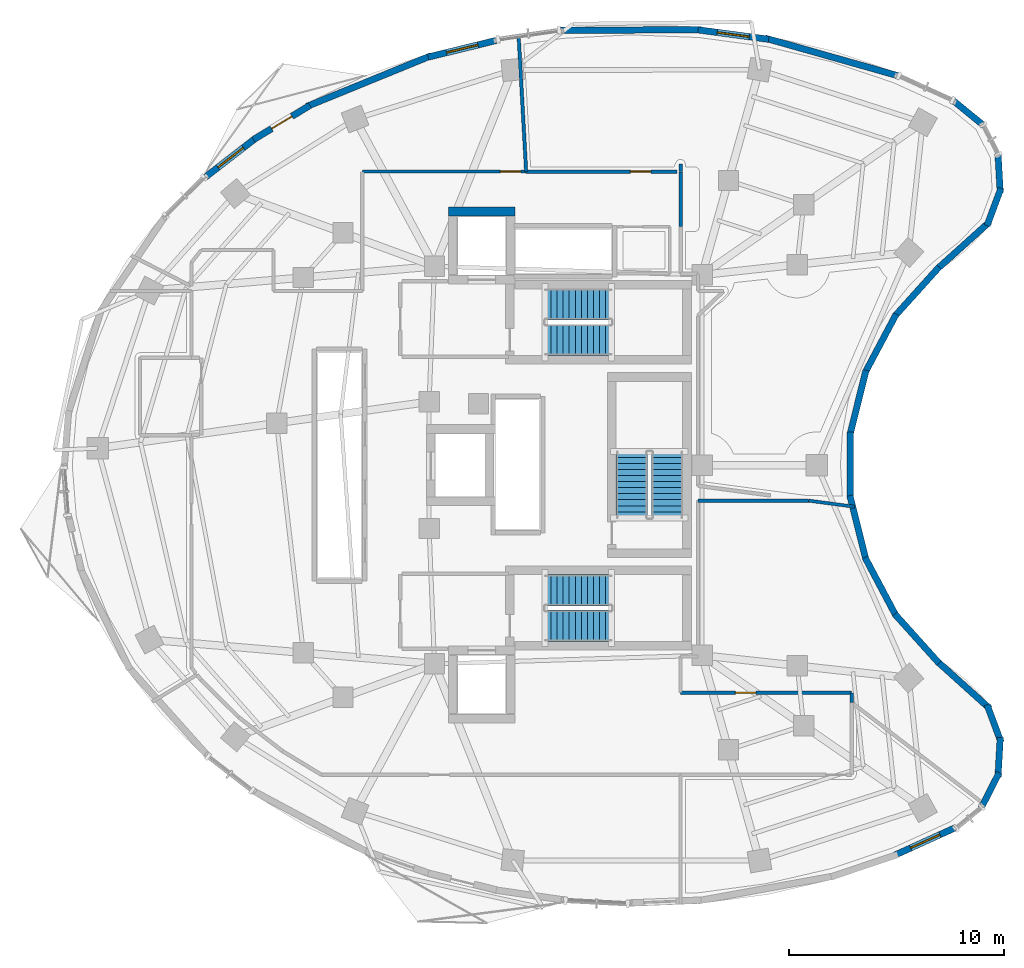
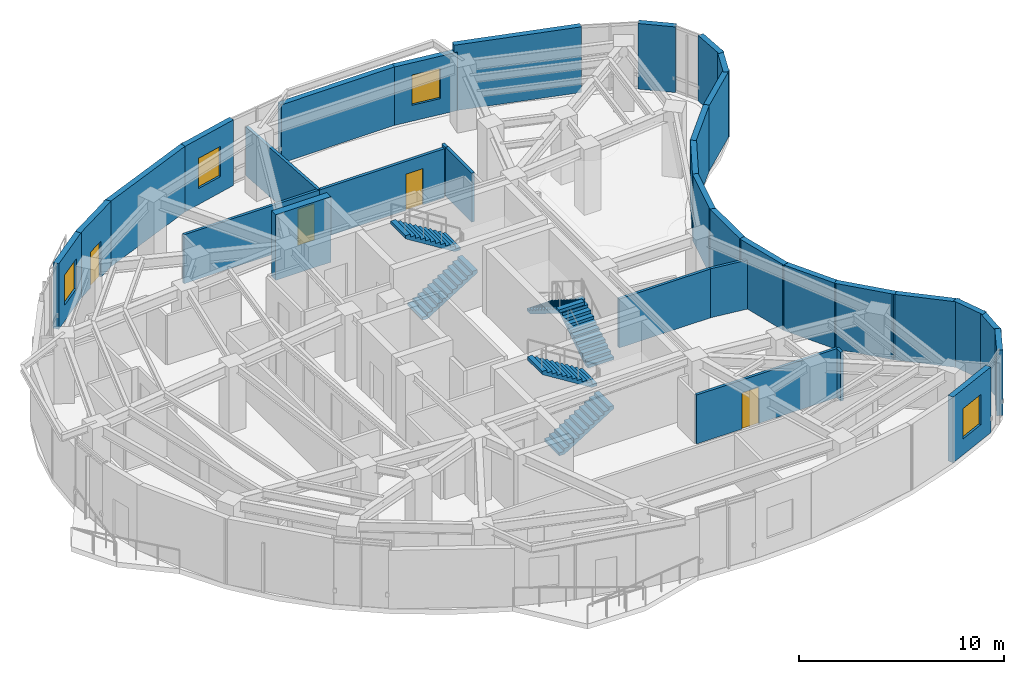
# One storey, part 9 of 13: 33 walls, 6 stair flights, 4 doors, 4 windows, 8 openings, 3 elements without a shape of their own.
"""IFC4 building model written with IfcOpenShell, lengths in metres."""

from ifc_helpers import new_model, si_unit, direction, frame, frame_2d, origin, place, context, subcontext, project, spatial, polyline, rectangle, outline, extrude, material, layer, layer_set, type_object, element, fill, aggregate, save


model = new_model("IFC4")

# Units and contexts
model_context = context("Model", 3, precision=1e-05, world=origin(), true_north=direction((0.0, 1.0)))
body_context = subcontext(model_context, "Body", "Model", "MODEL_VIEW")
ifc_project = project(units=[si_unit("LENGTHUNIT", "METRE"), si_unit("AREAUNIT", "SQUARE_METRE"), si_unit("VOLUMEUNIT", "CUBIC_METRE"), si_unit("PLANEANGLEUNIT", "RADIAN"), si_unit("MASSUNIT", "GRAM", prefix="KILO")], contexts=[model_context])

# Site, building, storey
site_placement = place(None, origin())
site = spatial("IfcSite", under=ifc_project, at=site_placement, CompositionType="ELEMENT")
building_placement = place(site_placement, origin())
building = spatial("IfcBuilding", under=site, at=building_placement, Name="Korentha Bioscience Tower", CompositionType="ELEMENT")
storey_placement = place(building_placement, frame((0.0, 0.0, 175.199951171875)))
storey = spatial("IfcBuildingStorey", under=building, at=storey_placement, Name="L40", CompositionType="ELEMENT", Elevation=175.199951171875)

# Wall, opening, door
ifc_material_1 = material(Name="Double-Stud Acoustic Gypsum", Category="gypsum")
ifc_layer_1 = layer(ifc_material_1, 0.14990234375, Name="Double-Stud Acoustic Gypsum")
ifc_layer_set_1 = layer_set([ifc_layer_1], Name="Double-Stud Acoustic Gypsum (IW-L150)")
wall_type_1 = type_object("IfcWallType", Name="Acoustic Laboratory Partition Wall 150", PredefinedType="PARTITIONING", material=ifc_layer_set_1)
wall_1_placement = place(storey_placement, frame((44.5, 16.409912109375, 0.0), z_axis=(0.0, 0.0, 1.0), x_axis=(-1.0, 0.0, 0.0)))
wall_1 = element("IfcWall", 1, at=wall_1_placement, inside=storey, type_object=wall_type_1, Name="L40 Principal Investigator Office 04 Entrance Wall", PredefinedType="PARTITIONING", context=body_context, shape_type="SweptSolid", body=[
    extrude(rectangle(XDim=7.947998046875, YDim=0.14990234375, at=frame_2d((3.97412109375, 0.0))), origin(), (0.0, 0.0, 1.0), 2.91015625),
])
opening_1_placement = place(wall_1_placement, frame((4.44873046875, 0.0, 0.0)))
opening_1 = element("IfcOpeningElement", 2, at=opening_1_placement, cuts=wall_1, Name="Opening ID-10R", PredefinedType="OPENING", context=body_context, shape_type="SweptSolid", body=[
    extrude(rectangle(XDim=0.949951171875, YDim=2.14990234375, at=frame_2d((0.47509765625, 1.074951171875))), frame((0.0, 0.08984375, 0.0), z_axis=(0.0, -1.0, 0.0), x_axis=(1.0, 0.0, 0.0)), (0.0, 0.0, 1.0), 0.1796875),
])
ifc_material_2 = material(Name="Phenolic Laminate Timber Core", Category="wood")
door_type_1 = type_object("IfcDoorType", Name="Laboratory Single Leaf Door 950x2150 Right", OperationType="SINGLE_SWING_RIGHT", PredefinedType="DOOR", material=ifc_material_2)
door_1_placement = place(opening_1_placement, origin())
door_1 = element("IfcDoor", 3, at=door_1_placement, inside=storey, type_object=door_type_1, Name="L40 Principal Investigator Office 04 Door", OperationType="SINGLE_SWING_RIGHT", OverallHeight=2.14990234375, OverallWidth=0.949951171875, PredefinedType="DOOR", context=body_context, shape_type="SweptSolid", body=[
    extrude(rectangle(XDim=0.949951171875, YDim=2.14990234375, at=frame_2d((0.47509765625, 1.074951171875))), frame((0.0, 0.02490234375, 0.0), z_axis=(0.0, -1.0, 0.0), x_axis=(1.0, 0.0, 0.0)), (0.0, 0.0, 1.0), 0.050048828125),
])
fill(opening_1, door_1)

wall_2_placement = place(storey_placement, frame((29.35546875, 40.659912109375, 0.0), z_axis=(0.0, 0.0, 1.0), x_axis=(-1.0, 0.0, 0.0)))
wall_2 = element("IfcWall", 4, at=wall_2_placement, inside=storey, type_object=wall_type_1, Name="L40 Principal Investigator Office 06 Entrance Wall", PredefinedType="PARTITIONING", context=body_context, shape_type="SweptSolid", body=[
    extrude(rectangle(XDim=7.60546875, YDim=0.14990234375, at=frame_2d((3.802734375, 0.0))), origin(), (0.0, 0.0, 1.0), 2.91015625),
])
opening_2_placement = place(wall_2_placement, frame((0.239990234375, 0.0, 0.0)))
opening_2 = element("IfcOpeningElement", 5, at=opening_2_placement, cuts=wall_2, Name="Opening ID-10R", PredefinedType="OPENING", context=body_context, shape_type="SweptSolid", body=[
    extrude(rectangle(XDim=0.949951171875, YDim=2.14990234375, at=frame_2d((0.47509765625, 1.074951171875))), frame((0.0, 0.08984375, 0.0), z_axis=(0.0, -1.0, 0.0), x_axis=(1.0, 0.0, 0.0)), (0.0, 0.0, 1.0), 0.1796875),
])
door_2_placement = place(opening_2_placement, origin())
door_2 = element("IfcDoor", 6, at=door_2_placement, inside=storey, type_object=door_type_1, Name="L40 Principal Investigator Office 06 Door", OperationType="SINGLE_SWING_RIGHT", OverallHeight=2.14990234375, OverallWidth=0.949951171875, PredefinedType="DOOR", context=body_context, shape_type="SweptSolid", body=[
    extrude(rectangle(XDim=0.949951171875, YDim=2.14990234375, at=frame_2d((0.47509765625, 1.074951171875))), frame((0.0, 0.02490234375, 0.0), z_axis=(0.0, -1.0, 0.0), x_axis=(1.0, 0.0, 0.0)), (0.0, 0.0, 1.0), 0.050048828125),
])
fill(opening_2, door_2)

# Walls
wall_3_placement = place(storey_placement, frame((37.360107421875, 25.347900390625, 0.0), z_axis=(0.0, 0.0, 1.0), x_axis=(1.0, 0.0, 0.0)))
element("IfcWall", 7, at=wall_3_placement, inside=storey, type_object=wall_type_1, Name="L40 Interior Partition 029", PredefinedType="PARTITIONING", context=body_context, shape_type="SweptSolid", body=[
    extrude(rectangle(XDim=5.14990234375, YDim=0.14990234375, at=frame_2d((2.574951171875, 0.0))), origin(), (0.0, 0.0, 1.0), 2.91015625),
])
wall_4_placement = place(storey_placement, frame((42.510009765625, 25.347900390625, 0.0), z_axis=(0.0, 0.0, 1.0), x_axis=(0.991248706097, -0.132007585617, 0.0)))
element("IfcWall", 8, at=wall_4_placement, inside=storey, type_object=wall_type_1, Name="L40 Interior Partition 030", PredefinedType="PARTITIONING", context=body_context, shape_type="SweptSolid", body=[
    extrude(rectangle(XDim=2.15087890625, YDim=0.14990234375, at=frame_2d((1.075439453125, 0.0))), origin(), (0.0, 0.0, 1.0), 2.91015625),
])
wall_5_placement = place(storey_placement, frame((44.510009765625, 15.9658203125, 0.0), z_axis=(0.0, 0.0, 1.0), x_axis=(0.0, 1.0, 0.0)))
element("IfcWall", 9, at=wall_5_placement, inside=storey, type_object=wall_type_1, Name="L40 Interior Partition 031", PredefinedType="PARTITIONING", context=body_context, shape_type="SweptSolid", body=[
    extrude(rectangle(XDim=0.43408203125, YDim=0.14990234375, at=frame_2d((0.217041015625, 0.0))), origin(), (0.0, 0.0, 1.0), 2.91015625),
])

# Wall, opening, door
ifc_material_3 = material(Name="Gypsum-Clad Steel Stud", Category="steel")
ifc_layer_2 = layer(ifc_material_3, 0.159912109375, Name="Gypsum-Clad Steel Stud")
ifc_layer_set_2 = layer_set([ifc_layer_2], Name="Gypsum-Clad Steel Stud (IW-C160)")
wall_type_2 = type_object("IfcWallType", Name="Fire-Rated Corridor Partition Wall 160", PredefinedType="PARTITIONING", material=ifc_layer_set_2)
wall_6_placement = place(storey_placement, frame((36.384521484375, 40.659912109375, 0.0), z_axis=(0.0, 0.0, 1.0), x_axis=(-1.0, 0.0, 0.0)))
wall_6 = element("IfcWall", 10, at=wall_6_placement, inside=storey, type_object=wall_type_2, Name="L40 Glassware Autoclave Wash Alcove 05 Entrance Wall", PredefinedType="PARTITIONING", context=body_context, shape_type="SweptSolid", body=[
    extrude(rectangle(XDim=7.01904296875, YDim=0.159912109375, at=frame_2d((3.509521484375, 0.0))), origin(), (0.0, 0.0, 1.0), 2.91015625),
])
opening_3_placement = place(wall_6_placement, frame((1.21728515625, 0.0, 0.0)))
opening_3 = element("IfcOpeningElement", 11, at=opening_3_placement, cuts=wall_6, Name="Opening ID-10L", PredefinedType="OPENING", context=body_context, shape_type="SweptSolid", body=[
    extrude(rectangle(XDim=0.949951171875, YDim=2.14990234375, at=frame_2d((0.47509765625, 1.074951171875))), frame((0.0, 0.0947265625, 0.0), z_axis=(0.0, -1.0, 0.0), x_axis=(1.0, 0.0, 0.0)), (0.0, 0.0, 1.0), 0.189697265625),
])
door_type_2 = type_object("IfcDoorType", Name="Laboratory Single Leaf Door 950x2150 Left", OperationType="SINGLE_SWING_LEFT", PredefinedType="DOOR", material=ifc_material_2)
door_3_placement = place(opening_3_placement, origin())
door_3 = element("IfcDoor", 12, at=door_3_placement, inside=storey, type_object=door_type_2, Name="L40 Glassware Autoclave Wash Alcove 05 Door", OperationType="SINGLE_SWING_LEFT", OverallHeight=2.14990234375, OverallWidth=0.949951171875, PredefinedType="DOOR", context=body_context, shape_type="SweptSolid", body=[
    extrude(rectangle(XDim=0.949951171875, YDim=2.14990234375, at=frame_2d((0.47509765625, 1.074951171875))), frame((0.0, 0.02490234375, 0.0), z_axis=(0.0, -1.0, 0.0), x_axis=(1.0, 0.0, 0.0)), (0.0, 0.0, 1.0), 0.050048828125),
])
fill(opening_3, door_3)

# Walls
wall_7_placement = place(storey_placement, frame((36.56201171875, 38.10009765625, 0.0), z_axis=(0.0, 0.0, 1.0), x_axis=(0.0, 1.0, 0.0)))
element("IfcWall", 13, at=wall_7_placement, inside=storey, type_object=wall_type_2, Name="L40 Interior Partition 041", PredefinedType="PARTITIONING", context=body_context, shape_type="SweptSolid", body=[
    extrude(rectangle(XDim=2.5498046875, YDim=0.159912109375, at=frame_2d((1.27490234375, 0.0))), origin(), (0.0, 0.0, 1.0), 2.91015625),
])
wall_8_placement = place(storey_placement, frame((36.552001953125, 40.659912109375, 0.0), z_axis=(0.0, 0.0, 1.0), x_axis=(0.0, 1.0, 0.0)))
element("IfcWall", 14, at=wall_8_placement, inside=storey, type_object=wall_type_2, Name="L40 Interior Partition 043", PredefinedType="PARTITIONING", context=body_context, shape_type="SweptSolid", body=[
    extrude(rectangle(XDim=0.3466796875, YDim=0.159912109375, at=frame_2d((0.17333984375, 0.0))), origin(), (0.0, 0.0, 1.0), 2.91015625),
])
wall_9_placement = place(storey_placement, frame((29.365478515625, 40.659912109375, 0.0), z_axis=(0.0, 0.0, 1.0), x_axis=(-0.055309349604, 0.99846926635, 0.0)))
element("IfcWall", 15, at=wall_9_placement, inside=storey, type_object=wall_type_2, Name="L40 Interior Partition 044", PredefinedType="PARTITIONING", context=body_context, shape_type="SweptSolid", body=[
    extrude(rectangle(XDim=6.39599609375, YDim=0.159912109375, at=frame_2d((3.197998046875, 0.0))), origin(), (0.0, 0.0, 1.0), 2.91015625),
])

# Wall, opening, window
ifc_material_4 = material(Name="Honed Limestone Precast Concrete C40", Category="masonry")
ifc_layer_3 = layer(ifc_material_4, 0.300048828125, Name="Honed Limestone Precast Concrete C40")
ifc_layer_set_3 = layer_set([ifc_layer_3], Name="Honed Limestone Precast Concrete C40 (EW-ST300)")
wall_type_3 = type_object("IfcWallType", Name="Honed Limestone Cavity Spandrel Wall 300", PredefinedType="STANDARD", material=ifc_layer_set_3)
wall_10_placement = place(storey_placement, frame((40.646484375, 46.81201171875, 0.0), z_axis=(0.0, 0.0, 1.0), x_axis=(-0.991139436205, 0.132825517122, 0.0)))
wall_10 = element("IfcWall", 16, at=wall_10_placement, inside=storey, type_object=wall_type_3, Name="L40 Honed Limestone Spandrel Wall 04", PredefinedType="STANDARD", context=body_context, shape_type="SweptSolid", body=[
    extrude(rectangle(XDim=3.310302734375, YDim=0.300048828125, at=frame_2d((1.6552734375, 0.0))), origin(), (0.0, 0.0, 1.0), 3.469970703125),
])
opening_4_placement = place(wall_10_placement, frame((0.9052734375, 0.0, 0.949951171875)))
opening_4 = element("IfcOpeningElement", 17, at=opening_4_placement, cuts=wall_10, Name="Opening WN-02", PredefinedType="OPENING", context=body_context, shape_type="SweptSolid", body=[
    extrude(rectangle(XDim=1.5, YDim=1.800048828125, at=frame_2d((0.75, 0.89990234375))), frame((0.0, 0.1650390625, 0.0), z_axis=(0.0, -1.0, 0.0), x_axis=(1.0, 0.0, 0.0)), (0.0, 0.0, 1.0), 0.329833984375),
])
ifc_material_5 = material(Name="Thermally Broken Aluminium Triple Glazing", Category="aluminium")
window_type = type_object("IfcWindowType", Name="Acoustic Operable Office Window 1500x1800", PartitioningType="DOUBLE_PANEL_VERTICAL", PredefinedType="WINDOW", material=ifc_material_5)
window_1_placement = place(opening_4_placement, origin())
window_1 = element("IfcWindow", 18, at=window_1_placement, inside=storey, type_object=window_type, Name="L40 Facade Window 04", OverallHeight=1.800048828125, OverallWidth=1.5, PartitioningType="DOUBLE_PANEL_VERTICAL", PredefinedType="WINDOW", context=body_context, shape_type="SweptSolid", body=[
    extrude(rectangle(XDim=1.5, YDim=1.800048828125, at=frame_2d((0.75, 0.89990234375))), frame((0.0, 0.030029296875, 0.0), z_axis=(0.0, -1.0, 0.0), x_axis=(1.0, 0.0, 0.0)), (0.0, 0.0, 1.0), 0.06005859375),
])
fill(opening_4, window_1)

wall_11_placement = place(storey_placement, frame((27.981689453125, 46.76171875, 0.0), z_axis=(0.0, 0.0, 1.0), x_axis=(-0.971312804689, -0.237805457142, 0.0)))
wall_11 = element("IfcWall", 19, at=wall_11_placement, inside=storey, type_object=wall_type_3, Name="L40 Honed Limestone Spandrel Wall 08", PredefinedType="STANDARD", context=body_context, shape_type="SweptSolid", body=[
    extrude(rectangle(XDim=3.268798828125, YDim=0.300048828125, at=frame_2d((1.63427734375, 0.0))), origin(), (0.0, 0.0, 1.0), 3.900146484375),
])
opening_5_placement = place(wall_11_placement, frame((0.884521484375, 0.0, 0.949951171875)))
opening_5 = element("IfcOpeningElement", 20, at=opening_5_placement, cuts=wall_11, Name="Opening WN-02", PredefinedType="OPENING", context=body_context, shape_type="SweptSolid", body=[
    extrude(rectangle(XDim=1.5, YDim=1.800048828125, at=frame_2d((0.75, 0.89990234375))), frame((0.0, 0.1650390625, 0.0), z_axis=(0.0, -1.0, 0.0), x_axis=(1.0, 0.0, 0.0)), (0.0, 0.0, 1.0), 0.329833984375),
])
window_2_placement = place(opening_5_placement, origin())
window_2 = element("IfcWindow", 21, at=window_2_placement, inside=storey, type_object=window_type, Name="L40 Facade Window 08", OverallHeight=1.800048828125, OverallWidth=1.5, PartitioningType="DOUBLE_PANEL_VERTICAL", PredefinedType="WINDOW", context=body_context, shape_type="SweptSolid", body=[
    extrude(rectangle(XDim=1.5, YDim=1.800048828125, at=frame_2d((0.75, 0.89990234375))), frame((0.0, 0.030029296875, 0.0), z_axis=(0.0, -1.0, 0.0), x_axis=(1.0, 0.0, 0.0)), (0.0, 0.0, 1.0), 0.06005859375),
])
fill(opening_5, window_2)

# Wall, opening, door
wall_12_placement = place(storey_placement, frame((19.303466796875, 43.736083984375, 0.0), z_axis=(0.0, 0.0, 1.0), x_axis=(-0.85455658592, -0.519358297769, 0.0)))
wall_12 = element("IfcWall", 22, at=wall_12_placement, inside=storey, type_object=wall_type_3, Name="L40 Balcony Threshold Wall 01", PredefinedType="STANDARD", context=body_context, shape_type="SweptSolid", body=[
    extrude(rectangle(XDim=3.06640625, YDim=0.300048828125, at=frame_2d((1.533203125, 0.0))), origin(), (0.0, 0.0, 1.0), 3.900146484375),
])
opening_6_placement = place(wall_12_placement, frame((0.983154296875, 0.0, 0.0)))
opening_6 = element("IfcOpeningElement", 23, at=opening_6_placement, cuts=wall_12, Name="Opening BD-11L", PredefinedType="OPENING", context=body_context, shape_type="SweptSolid", body=[
    extrude(rectangle(XDim=1.10009765625, YDim=2.14990234375, at=frame_2d((0.550048828125, 1.074951171875))), frame((0.0, 0.1650390625, 0.0), z_axis=(0.0, -1.0, 0.0), x_axis=(1.0, 0.0, 0.0)), (0.0, 0.0, 1.0), 0.329833984375),
])
ifc_material_6 = material(Name="Thermally Broken Glazed Aluminium", Category="aluminium")
door_type_3 = type_object("IfcDoorType", Name="Balcony Terrace Glazed Door 1100x2150 Left", OperationType="SINGLE_SWING_LEFT", PredefinedType="DOOR", material=ifc_material_6)
door_4_placement = place(opening_6_placement, origin())
door_4 = element("IfcDoor", 24, at=door_4_placement, inside=storey, type_object=door_type_3, Name="L40 Balcony Access Door 01", OperationType="SINGLE_SWING_LEFT", OverallHeight=2.14990234375, OverallWidth=1.10009765625, PredefinedType="DOOR", context=body_context, shape_type="SweptSolid", body=[
    extrude(rectangle(XDim=1.10009765625, YDim=2.14990234375, at=frame_2d((0.550048828125, 1.074951171875))), frame((0.0, 0.02490234375, 0.0), z_axis=(0.0, -1.0, 0.0), x_axis=(1.0, 0.0, 0.0)), (0.0, 0.0, 1.0), 0.050048828125),
])
fill(opening_6, door_4)

# Wall, opening, window
wall_13_placement = place(storey_placement, frame((16.796630859375, 42.2216796875, 0.0), z_axis=(0.0, 0.0, 1.0), x_axis=(-0.790541990178, -0.612407839406, 0.0)))
wall_13 = element("IfcWall", 25, at=wall_13_placement, inside=storey, type_object=wall_type_3, Name="L40 Honed Limestone Spandrel Wall 12", PredefinedType="STANDARD", context=body_context, shape_type="SweptSolid", body=[
    extrude(rectangle(XDim=2.9794921875, YDim=0.300048828125, at=frame_2d((1.48974609375, 0.0))), origin(), (0.0, 0.0, 1.0), 3.900146484375),
])
opening_7_placement = place(wall_13_placement, frame((0.739990234375, 0.0, 0.949951171875)))
opening_7 = element("IfcOpeningElement", 26, at=opening_7_placement, cuts=wall_13, Name="Opening WN-02", PredefinedType="OPENING", context=body_context, shape_type="SweptSolid", body=[
    extrude(rectangle(XDim=1.5, YDim=1.800048828125, at=frame_2d((0.75, 0.89990234375))), frame((0.0, 0.1650390625, 0.0), z_axis=(0.0, -1.0, 0.0), x_axis=(1.0, 0.0, 0.0)), (0.0, 0.0, 1.0), 0.329833984375),
])
window_3_placement = place(opening_7_placement, origin())
window_3 = element("IfcWindow", 27, at=window_3_placement, inside=storey, type_object=window_type, Name="L40 Facade Window 12", OverallHeight=1.800048828125, OverallWidth=1.5, PartitioningType="DOUBLE_PANEL_VERTICAL", PredefinedType="WINDOW", context=body_context, shape_type="SweptSolid", body=[
    extrude(rectangle(XDim=1.5, YDim=1.800048828125, at=frame_2d((0.75, 0.89990234375))), frame((0.0, 0.030029296875, 0.0), z_axis=(0.0, -1.0, 0.0), x_axis=(1.0, 0.0, 0.0)), (0.0, 0.0, 1.0), 0.06005859375),
])
fill(opening_7, window_3)

wall_14_placement = place(storey_placement, frame((46.50048828125, 8.844970703125, 0.0), z_axis=(0.0, 0.0, 1.0), x_axis=(0.910644509231, 0.413190728124, 0.0)))
wall_14 = element("IfcWall", 28, at=wall_14_placement, inside=storey, type_object=wall_type_3, Name="L40 Honed Limestone Spandrel Wall 36", PredefinedType="STANDARD", context=body_context, shape_type="SweptSolid", body=[
    extrude(rectangle(XDim=3.1552734375, YDim=0.300048828125, at=frame_2d((1.57763671875, 0.0))), origin(), (0.0, 0.0, 1.0), 3.900146484375),
])
opening_8_placement = place(wall_14_placement, frame((0.82763671875, 0.0, 0.949951171875)))
opening_8 = element("IfcOpeningElement", 29, at=opening_8_placement, cuts=wall_14, Name="Opening WN-02", PredefinedType="OPENING", context=body_context, shape_type="SweptSolid", body=[
    extrude(rectangle(XDim=1.5, YDim=1.800048828125, at=frame_2d((0.75, 0.89990234375))), frame((0.0, 0.1650390625, 0.0), z_axis=(0.0, -1.0, 0.0), x_axis=(1.0, 0.0, 0.0)), (0.0, 0.0, 1.0), 0.329833984375),
])
window_4_placement = place(opening_8_placement, origin())
window_4 = element("IfcWindow", 30, at=window_4_placement, inside=storey, type_object=window_type, Name="L40 Facade Window 36", OverallHeight=1.800048828125, OverallWidth=1.5, PartitioningType="DOUBLE_PANEL_VERTICAL", PredefinedType="WINDOW", context=body_context, shape_type="SweptSolid", body=[
    extrude(rectangle(XDim=1.5, YDim=1.800048828125, at=frame_2d((0.75, 0.89990234375))), frame((0.0, 0.030029296875, 0.0), z_axis=(0.0, -1.0, 0.0), x_axis=(1.0, 0.0, 0.0)), (0.0, 0.0, 1.0), 0.06005859375),
])
fill(opening_8, window_4)

# Walls
wall_15_placement = place(storey_placement, frame((46.659912109375, 45.119384765625, 0.0), z_axis=(0.0, 0.0, 1.0), x_axis=(-0.962163849422, 0.272471515694, 0.0)))
element("IfcWall", 31, at=wall_15_placement, inside=storey, type_object=wall_type_3, Name="L40 Limestone Perimeter Closure Wall 02", PredefinedType="STANDARD", context=body_context, shape_type="SweptSolid", body=[
    extrude(rectangle(XDim=6.4091796875, YDim=0.300048828125, at=frame_2d((3.20458984375, 0.0))), origin(), (0.0, 0.0, 1.0), 3.900146484375),
])
wall_16_placement = place(storey_placement, frame((37.52685546875, 47.2626953125, 0.0), z_axis=(0.0, 0.0, 1.0), x_axis=(-0.999982312698, -0.005947629086, 0.0)))
element("IfcWall", 32, at=wall_16_placement, inside=storey, type_object=wall_type_3, Name="L40 Limestone Perimeter Closure Wall 05", PredefinedType="STANDARD", context=body_context, shape_type="SweptSolid", body=[
    extrude(rectangle(XDim=6.567626953125, YDim=0.300048828125, at=frame_2d((3.28369140625, 0.0))), origin(), (0.0, 0.0, 1.0), 3.469970703125),
])
wall_17_placement = place(storey_placement, frame((24.953857421875, 46.0546875, 0.0), z_axis=(0.0, 0.0, 1.0), x_axis=(-0.925664098805, -0.378346370648, 0.0)))
element("IfcWall", 33, at=wall_17_placement, inside=storey, type_object=wall_type_3, Name="L40 Limestone Perimeter Closure Wall 09", PredefinedType="STANDARD", context=body_context, shape_type="SweptSolid", body=[
    extrude(rectangle(XDim=6.272216796875, YDim=0.300048828125, at=frame_2d((3.13623046875, 0.0))), origin(), (0.0, 0.0, 1.0), 3.900146484375),
])
for number, where, z_axis, x_axis, name in (
    (34, (50.533935546875, 11.041259765625, 0.0), (0.0, 0.0, 1.0), (0.454214122486, 0.890892547356, 0.0), "L40 Limestone Perimeter Closure Wall 38"),
    (35, (51.319091796875, 12.484375, 0.0), (0.0, 0.0, 1.0), (0.057485341891, 0.998346350455, 0.0), "L40 Limestone Perimeter Closure Wall 39"),
    (36, (51.45751953125, 14.121337890625, 0.0), (0.0, 0.0, 1.0), (-0.348984166898, 0.937128620443, 0.0), "L40 Limestone Perimeter Closure Wall 40"),
):
    element("IfcWall", number, at=place(storey_placement, frame(where, z_axis=z_axis, x_axis=x_axis)), inside=storey, type_object=wall_type_3, Name=name, PredefinedType="STANDARD", context=body_context, shape_type="SweptSolid", body=[
        extrude(rectangle(XDim=1.851806640625, YDim=0.300048828125, at=frame_2d((0.92578125, 0.0))), origin(), (0.0, 0.0, 1.0), 3.900146484375),
    ])
wall_18_placement = place(storey_placement, frame((50.936279296875, 15.6728515625, 0.0), z_axis=(0.0, 0.0, 1.0), x_axis=(-0.743341827472, 0.668911748687, 0.0)))
element("IfcWall", 37, at=wall_18_placement, inside=storey, type_object=wall_type_3, Name="L40 Limestone Perimeter Closure Wall 41", PredefinedType="STANDARD", context=body_context, shape_type="SweptSolid", body=[
    extrude(rectangle(XDim=3.3095703125, YDim=0.300048828125, at=frame_2d((1.65478515625, 0.0))), origin(), (0.0, 0.0, 1.0), 3.900146484375),
])
for number, where, z_axis, x_axis, name in (
    (38, (48.57861328125, 17.7841796875, 0.0), (0.0, 0.0, 1.0), (-0.669165704933, 0.743113221079, 0.0), "L40 Limestone Perimeter Closure Wall 43"),
    (39, (46.58447265625, 19.975830078125, 0.0), (0.0, 0.0, 1.0), (-0.469471310295, 0.882947727111, 0.0), "L40 Limestone Perimeter Closure Wall 45"),
    (40, (45.179931640625, 22.585205078125, 0.0), (0.0, 0.0, 1.0), (-0.241940068914, 0.970291194979, 0.0), "L40 Limestone Perimeter Closure Wall 47"),
    (41, (44.448486328125, 25.45654296875, 0.0), (0.0, 0.0, 1.0), (0.0, 1.0, 0.0), "L40 Limestone Perimeter Closure Wall 49"),
    (42, (44.43310546875, 28.419677734375, 0.0), (0.0, 0.0, 1.0), (0.241940068914, 0.970291194979, 0.0), "L40 Limestone Perimeter Closure Wall 51"),
    (43, (45.13525390625, 31.298583984375, 0.0), (0.0, 0.0, 1.0), (0.469471310295, 0.882947727111, 0.0), "L40 Limestone Perimeter Closure Wall 53"),
    (44, (46.512939453125, 33.921875, 0.0), (0.0, 0.0, 1.0), (0.669165704933, 0.743113221079, 0.0), "L40 Limestone Perimeter Closure Wall 55"),
):
    element("IfcWall", number, at=place(storey_placement, frame(where, z_axis=z_axis, x_axis=x_axis)), inside=storey, type_object=wall_type_3, Name=name, PredefinedType="STANDARD", context=body_context, shape_type="SweptSolid", body=[
        extrude(rectangle(XDim=3.0869140625, YDim=0.300048828125, at=frame_2d((1.54345703125, 0.0))), origin(), (0.0, 0.0, 1.0), 3.900146484375),
    ])
wall_19_placement = place(storey_placement, frame((48.47607421875, 36.11328125, 0.0), z_axis=(0.0, 0.0, 1.0), x_axis=(0.743341827472, 0.668911748687, 0.0)))
element("IfcWall", 45, at=wall_19_placement, inside=storey, type_object=wall_type_3, Name="L40 Limestone Perimeter Closure Wall 57", PredefinedType="STANDARD", context=body_context, shape_type="SweptSolid", body=[
    extrude(rectangle(XDim=3.3095703125, YDim=0.300048828125, at=frame_2d((1.65478515625, 0.0))), origin(), (0.0, 0.0, 1.0), 3.900146484375),
])
for number, where, z_axis, x_axis, name in (
    (46, (50.811279296875, 38.143310546875, 0.0), (0.0, 0.0, 1.0), (0.348984166898, 0.937128620443, 0.0), "L40 Limestone Perimeter Closure Wall 59"),
    (47, (51.425537109375, 39.6669921875, 0.0), (0.0, 0.0, 1.0), (-0.057485341891, 0.998346350455, 0.0), "L40 Limestone Perimeter Closure Wall 60"),
    (48, (50.668212890625, 42.7919921875, 0.0), (0.0, 0.0, 1.0), (-0.774174596654, 0.632972111467, 0.0), "L40 Limestone Perimeter Closure Wall 62"),
):
    element("IfcWall", number, at=place(storey_placement, frame(where, z_axis=z_axis, x_axis=x_axis)), inside=storey, type_object=wall_type_3, Name=name, PredefinedType="STANDARD", context=body_context, shape_type="SweptSolid", body=[
        extrude(rectangle(XDim=1.851806640625, YDim=0.300048828125, at=frame_2d((0.92578125, 0.0))), origin(), (0.0, 0.0, 1.0), 3.900146484375),
    ])
ifc_material_7 = material(Name="Concrete C65", Category="concrete")
ifc_layer_4 = layer(ifc_material_7, 0.39990234375, Name="Concrete C65")
ifc_layer_set_4 = layer_set([ifc_layer_4], Name="Concrete C65 (CW-C65)")
wall_type_4 = type_object("IfcWallType", Name="Mid-Rise Core Shear Wall 400", PredefinedType="SHEAR", material=ifc_layer_set_4)
wall_20_placement = place(storey_placement, frame((25.75, 38.800048828125, 0.0), z_axis=(0.0, 0.0, 1.0), x_axis=(1.0, 0.0, 0.0)))
element("IfcWall", 49, at=wall_20_placement, inside=storey, type_object=wall_type_4, Name="L40 Core Shear Wall FFL2-N", PredefinedType="SHEAR", context=body_context, shape_type="SweptSolid", body=[
    extrude(rectangle(XDim=3.10009765625, YDim=0.39990234375, at=frame_2d((1.550048828125, 0.0))), origin(), (0.0, 0.0, 1.0), 3.900146484375),
])

# Stair, stair flights
ifc_material_8 = material(Name="Precast Concrete C50", Category="concrete")
stair_type = type_object("IfcStairType", Name="Core Exit Dog-Leg Stair 1450", PredefinedType="HALF_TURN_STAIR", material=ifc_material_8)
stair_1_placement = place(storey_placement, origin())
stair_1 = element("IfcStair", 50, at=stair_1_placement, inside=storey, type_object=stair_type, Name="L40 Tower North Pressurized Exit Stair ST-1", PredefinedType="HALF_TURN_STAIR")
stair_flight_type = type_object("IfcStairFlightType", Name="Core Exit Dog-Leg Stair 1450 Flight", PredefinedType="STRAIGHT", material=ifc_material_8)
stair_flight_1_placement = place(storey_placement, frame((30.25, 32.824951171875, 0.0), z_axis=(0.0, 0.0, 1.0), x_axis=(1.0, 0.0, 0.0)))
stair_flight_1 = element("IfcStairFlight", 51, at=stair_flight_1_placement, type_object=stair_flight_type, Name="ST-1 flight 1", NumberOfRisers=12, NumberOfTreads=11, PredefinedType="STRAIGHT", RiserHeight=0.175, TreadLength=0.28, context=body_context, shape_type="SweptSolid", body=[
    extrude(outline(polyline([(0.0, 0.0), (0.0, 0.175048828125), (0.280029296875, 0.175048828125), (0.280029296875, 0.35009765625), (0.56005859375, 0.35009765625), (0.56005859375, 0.52490234375), (0.840087890625, 0.52490234375), (0.840087890625, 0.699951171875), (1.1201171875, 0.699951171875), (1.1201171875, 0.875), (1.39990234375, 0.875), (1.39990234375, 1.050048828125), (1.679931640625, 1.050048828125), (1.679931640625, 1.22509765625), (1.9599609375, 1.22509765625), (1.9599609375, 1.39990234375), (2.239990234375, 1.39990234375), (2.239990234375, 1.574951171875), (2.52001953125, 1.574951171875), (2.52001953125, 1.75), (2.800048828125, 1.75), (2.800048828125, 1.925048828125), (3.080078125, 1.925048828125), (3.080078125, 2.10009765625), (3.080078125, 1.736328125), (0.3017578125, 0.0), (0.0, 0.0)])), frame((0.0, 0.72509765625, 0.0), z_axis=(0.0, -1.0, 0.0), x_axis=(1.0, 0.0, 0.0)), (0.0, 0.0, 1.0), 1.449951171875),
])
stair_flight_2_placement = place(storey_placement, frame((33.330078125, 34.47509765625, 2.10009765625), z_axis=(0.0, 0.0, 1.0), x_axis=(-1.0, 0.0, 0.0)))
stair_flight_2 = element("IfcStairFlight", 52, at=stair_flight_2_placement, type_object=stair_flight_type, Name="ST-1 flight 2", NumberOfRisers=12, NumberOfTreads=11, PredefinedType="STRAIGHT", RiserHeight=0.175, TreadLength=0.28, context=body_context, shape_type="SweptSolid", body=[
    extrude(outline(polyline([(0.0, 0.0), (0.0, 0.175048828125), (0.280029296875, 0.175048828125), (0.280029296875, 0.35009765625), (0.56005859375, 0.35009765625), (0.56005859375, 0.52490234375), (0.840087890625, 0.52490234375), (0.840087890625, 0.699951171875), (1.1201171875, 0.699951171875), (1.1201171875, 0.875), (1.39990234375, 0.875), (1.39990234375, 1.050048828125), (1.679931640625, 1.050048828125), (1.679931640625, 1.22509765625), (1.9599609375, 1.22509765625), (1.9599609375, 1.39990234375), (2.239990234375, 1.39990234375), (2.239990234375, 1.574951171875), (2.52001953125, 1.574951171875), (2.52001953125, 1.75), (2.800048828125, 1.75), (2.800048828125, 1.925048828125), (3.080078125, 1.925048828125), (3.080078125, 2.10009765625), (3.080078125, 1.736328125), (0.3017578125, 0.0), (0.0, 0.0)])), frame((0.0, 0.72509765625, 0.0), z_axis=(0.0, -1.0, 0.0), x_axis=(1.0, 0.0, 0.0)), (0.0, 0.0, 1.0), 1.449951171875),
])
aggregate(stair_1, [stair_flight_1, stair_flight_2])

stair_2_placement = place(storey_placement, origin())
stair_2 = element("IfcStair", 53, at=stair_2_placement, inside=storey, type_object=stair_type, Name="L40 Tower South Pressurized Exit Stair ST-2", PredefinedType="HALF_TURN_STAIR")
stair_flight_3_placement = place(storey_placement, frame((30.25, 19.52490234375, 0.0), z_axis=(0.0, 0.0, 1.0), x_axis=(1.0, 0.0, 0.0)))
stair_flight_3 = element("IfcStairFlight", 54, at=stair_flight_3_placement, type_object=stair_flight_type, Name="ST-2 flight 1", NumberOfRisers=12, NumberOfTreads=11, PredefinedType="STRAIGHT", RiserHeight=0.175, TreadLength=0.28, context=body_context, shape_type="SweptSolid", body=[
    extrude(outline(polyline([(0.0, 0.0), (0.0, 0.175048828125), (0.280029296875, 0.175048828125), (0.280029296875, 0.35009765625), (0.56005859375, 0.35009765625), (0.56005859375, 0.52490234375), (0.840087890625, 0.52490234375), (0.840087890625, 0.699951171875), (1.1201171875, 0.699951171875), (1.1201171875, 0.875), (1.39990234375, 0.875), (1.39990234375, 1.050048828125), (1.679931640625, 1.050048828125), (1.679931640625, 1.22509765625), (1.9599609375, 1.22509765625), (1.9599609375, 1.39990234375), (2.239990234375, 1.39990234375), (2.239990234375, 1.574951171875), (2.52001953125, 1.574951171875), (2.52001953125, 1.75), (2.800048828125, 1.75), (2.800048828125, 1.925048828125), (3.080078125, 1.925048828125), (3.080078125, 2.10009765625), (3.080078125, 1.736328125), (0.3017578125, 0.0), (0.0, 0.0)])), frame((0.0, 0.72509765625, 0.0), z_axis=(0.0, -1.0, 0.0), x_axis=(1.0, 0.0, 0.0)), (0.0, 0.0, 1.0), 1.449951171875),
])
stair_flight_4_placement = place(storey_placement, frame((33.330078125, 21.175048828125, 2.10009765625), z_axis=(0.0, 0.0, 1.0), x_axis=(-1.0, 0.0, 0.0)))
stair_flight_4 = element("IfcStairFlight", 55, at=stair_flight_4_placement, type_object=stair_flight_type, Name="ST-2 flight 2", NumberOfRisers=12, NumberOfTreads=11, PredefinedType="STRAIGHT", RiserHeight=0.175, TreadLength=0.28, context=body_context, shape_type="SweptSolid", body=[
    extrude(outline(polyline([(0.0, 0.0), (0.0, 0.175048828125), (0.280029296875, 0.175048828125), (0.280029296875, 0.35009765625), (0.56005859375, 0.35009765625), (0.56005859375, 0.52490234375), (0.840087890625, 0.52490234375), (0.840087890625, 0.699951171875), (1.1201171875, 0.699951171875), (1.1201171875, 0.875), (1.39990234375, 0.875), (1.39990234375, 1.050048828125), (1.679931640625, 1.050048828125), (1.679931640625, 1.22509765625), (1.9599609375, 1.22509765625), (1.9599609375, 1.39990234375), (2.239990234375, 1.39990234375), (2.239990234375, 1.574951171875), (2.52001953125, 1.574951171875), (2.52001953125, 1.75), (2.800048828125, 1.75), (2.800048828125, 1.925048828125), (3.080078125, 1.925048828125), (3.080078125, 2.10009765625), (3.080078125, 1.736328125), (0.3017578125, 0.0), (0.0, 0.0)])), frame((0.0, 0.72509765625, 0.0), z_axis=(0.0, -1.0, 0.0), x_axis=(1.0, 0.0, 0.0)), (0.0, 0.0, 1.0), 1.449951171875),
])
aggregate(stair_2, [stair_flight_3, stair_flight_4])

stair_3_placement = place(storey_placement, origin())
stair_3 = element("IfcStair", 56, at=stair_3_placement, inside=storey, type_object=stair_type, Name="L40 Tower Central Pressurized Exit Stair ST-3", PredefinedType="HALF_TURN_STAIR")
stair_flight_5_placement = place(storey_placement, frame((35.925048828125, 24.550048828125, 0.0), z_axis=(0.0, 0.0, 1.0), x_axis=(0.0, 1.0, 0.0)))
stair_flight_5 = element("IfcStairFlight", 57, at=stair_flight_5_placement, type_object=stair_flight_type, Name="ST-3 flight 1", NumberOfRisers=12, NumberOfTreads=11, PredefinedType="STRAIGHT", RiserHeight=0.175, TreadLength=0.28, context=body_context, shape_type="SweptSolid", body=[
    extrude(outline(polyline([(0.0, 0.0), (0.0, 0.175048828125), (0.280029296875, 0.175048828125), (0.280029296875, 0.35009765625), (0.56005859375, 0.35009765625), (0.56005859375, 0.52490234375), (0.840087890625, 0.52490234375), (0.840087890625, 0.699951171875), (1.1201171875, 0.699951171875), (1.1201171875, 0.875), (1.39990234375, 0.875), (1.39990234375, 1.050048828125), (1.679931640625, 1.050048828125), (1.679931640625, 1.22509765625), (1.9599609375, 1.22509765625), (1.9599609375, 1.39990234375), (2.239990234375, 1.39990234375), (2.239990234375, 1.574951171875), (2.52001953125, 1.574951171875), (2.52001953125, 1.75), (2.800048828125, 1.75), (2.800048828125, 1.925048828125), (3.080078125, 1.925048828125), (3.080078125, 2.10009765625), (3.080078125, 1.736328125), (0.3017578125, 0.0), (0.0, 0.0)])), frame((0.0, 0.72509765625, 0.0), z_axis=(0.0, -1.0, 0.0), x_axis=(1.0, 0.0, 0.0)), (0.0, 0.0, 1.0), 1.449951171875),
])
stair_flight_6_placement = place(storey_placement, frame((34.27490234375, 27.6298828125, 2.10009765625), z_axis=(0.0, 0.0, 1.0), x_axis=(0.0, -1.0, 0.0)))
stair_flight_6 = element("IfcStairFlight", 58, at=stair_flight_6_placement, type_object=stair_flight_type, Name="ST-3 flight 2", NumberOfRisers=12, NumberOfTreads=11, PredefinedType="STRAIGHT", RiserHeight=0.175, TreadLength=0.28, context=body_context, shape_type="SweptSolid", body=[
    extrude(outline(polyline([(0.0, 0.0), (0.0, 0.175048828125), (0.280029296875, 0.175048828125), (0.280029296875, 0.35009765625), (0.56005859375, 0.35009765625), (0.56005859375, 0.52490234375), (0.840087890625, 0.52490234375), (0.840087890625, 0.699951171875), (1.1201171875, 0.699951171875), (1.1201171875, 0.875), (1.39990234375, 0.875), (1.39990234375, 1.050048828125), (1.679931640625, 1.050048828125), (1.679931640625, 1.22509765625), (1.9599609375, 1.22509765625), (1.9599609375, 1.39990234375), (2.239990234375, 1.39990234375), (2.239990234375, 1.574951171875), (2.52001953125, 1.574951171875), (2.52001953125, 1.75), (2.800048828125, 1.75), (2.800048828125, 1.925048828125), (3.080078125, 1.925048828125), (3.080078125, 2.10009765625), (3.080078125, 1.736328125), (0.3017578125, 0.0), (0.0, 0.0)])), frame((0.0, 0.72509765625, 0.0), z_axis=(0.0, -1.0, 0.0), x_axis=(1.0, 0.0, 0.0)), (0.0, 0.0, 1.0), 1.449951171875),
])
aggregate(stair_3, [stair_flight_5, stair_flight_6])

save(model, "model.ifc")
